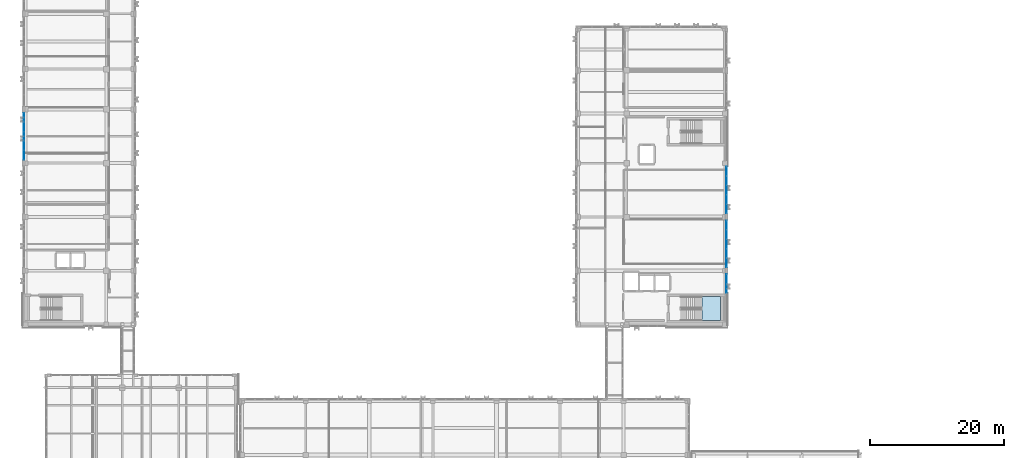
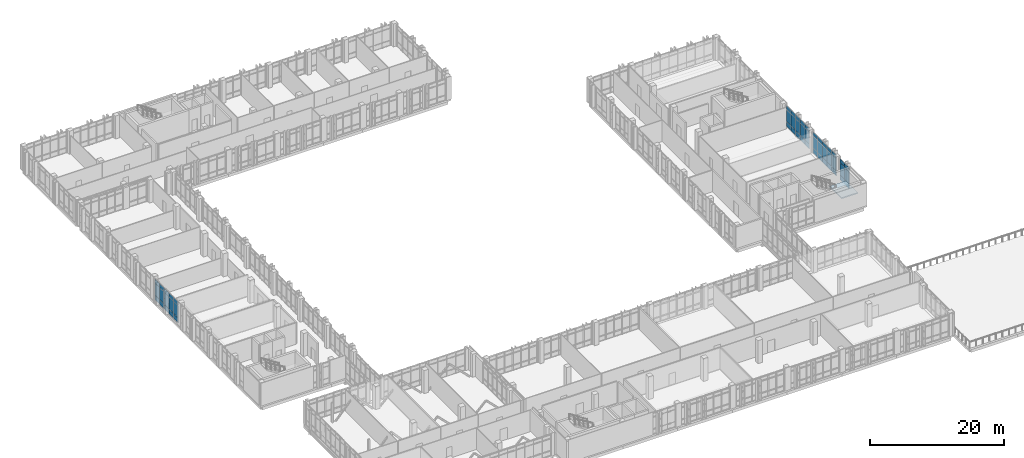
# One storey, part 122 of 165: 51 plates, 1 slab, 5 elements without a shape of their own.
"""IFC4 building model written with IfcOpenShell, lengths in metres."""

from ifc_helpers import new_model, si_unit, direction, frame, origin, origin_2d, place, context, subcontext, project, spatial, polyline, rectangle, outline, extrude, material, layer, layer_set, type_object, element, aggregate, save


model = new_model("IFC4")

# Units and contexts
model_context = context("Model", 3, precision=1e-05, world=origin(), true_north=direction((0.0, 1.0)))
body_context = subcontext(model_context, "Body", "Model", "MODEL_VIEW")
ifc_project = project(units=[si_unit("LENGTHUNIT", "METRE"), si_unit("AREAUNIT", "SQUARE_METRE"), si_unit("VOLUMEUNIT", "CUBIC_METRE"), si_unit("PLANEANGLEUNIT", "RADIAN"), si_unit("MASSUNIT", "GRAM", prefix="KILO")], contexts=[model_context])

# Site, building, storey
site_placement = place(None, origin())
site = spatial("IfcSite", under=ifc_project, at=site_placement, CompositionType="ELEMENT")
building_placement = place(site_placement, origin())
building = spatial("IfcBuilding", under=site, at=building_placement, Name="Qalavern Law Courts", CompositionType="ELEMENT")
storey_placement = place(building_placement, frame((0.0, 0.0, 14.39990234375)))
storey = spatial("IfcBuildingStorey", under=building, at=storey_placement, Name="L03", CompositionType="ELEMENT", Elevation=14.39990234375)

# Curtain wall, plates
ifc_material_1 = material(Name="Anodised aluminium and insulated glazing", Category="aluminium")
ifc_layer_1 = layer(ifc_material_1, 0.172119140625)
ifc_layer_set_1 = layer_set([ifc_layer_1], Name="Anodised aluminium and insulated glazing")
curtain_wall_type = type_object("IfcCurtainWallType", Name="ENV-CW-COURT", PredefinedType="USERDEFINED", material=ifc_layer_set_1)
curtain_wall_1_placement = place(storey_placement, origin())
curtain_wall_1 = element("IfcCurtainWall", 1, at=curtain_wall_1_placement, inside=storey, type_object=curtain_wall_type, Name="V4 unitised curtain wall L03 east 2", ObjectType="UNITISED CURTAIN WALL", PredefinedType="USERDEFINED")
ifc_material_2 = material(Name="Insulated low-E acoustic glazing", Category="glass")
ifc_layer_2 = layer(ifc_material_2, 0.02392578125)
ifc_layer_set_2 = layer_set([ifc_layer_2], Name="Insulated low-E acoustic glazing")
plate_type_1 = type_object("IfcPlateType", Name="ENV-CWP-24", PredefinedType="CURTAIN_PANEL", material=ifc_layer_set_2)
plate_1_placement = place(storey_placement, frame((106.652587890625, 50.612060546875, 0.048095703125), z_axis=(0.0, 0.0, 1.0), x_axis=(0.0, 1.0, 0.0)))
plate_1 = element("IfcPlate", 2, at=plate_1_placement, type_object=plate_type_1, Name="CW-03 panel 1.1", PredefinedType="CURTAIN_PANEL", context=body_context, shape_type="SweptSolid", body=[
    extrude(rectangle(XDim=1.327880859375, YDim=0.02392578125, at=origin_2d()), origin(), (0.0, 0.0, 1.0), 0.8779296875),
])
plate_2_placement = place(storey_placement, frame((106.652587890625, 50.612060546875, 0.97412109375), z_axis=(0.0, 0.0, 1.0), x_axis=(0.0, 1.0, 0.0)))
plate_2 = element("IfcPlate", 3, at=plate_2_placement, type_object=plate_type_1, Name="CW-03 panel 1.2", PredefinedType="CURTAIN_PANEL", context=body_context, shape_type="SweptSolid", body=[
    extrude(rectangle(XDim=1.327880859375, YDim=0.02392578125, at=origin_2d()), origin(), (0.0, 0.0, 1.0), 2.172119140625),
])
plate_3_placement = place(storey_placement, frame((106.652587890625, 50.612060546875, 3.1943359375), z_axis=(0.0, 0.0, 1.0), x_axis=(0.0, 1.0, 0.0)))
plate_3 = element("IfcPlate", 4, at=plate_3_placement, type_object=plate_type_1, Name="CW-03 panel 1.3", PredefinedType="CURTAIN_PANEL", context=body_context, shape_type="SweptSolid", body=[
    extrude(rectangle(XDim=1.327880859375, YDim=0.02392578125, at=origin_2d()), origin(), (0.0, 0.0, 1.0), 0.677978515625),
])
plate_4_placement = place(storey_placement, frame((106.652587890625, 52.0, 0.048095703125), z_axis=(0.0, 0.0, 1.0), x_axis=(0.0, 1.0, 0.0)))
plate_4 = element("IfcPlate", 5, at=plate_4_placement, type_object=plate_type_1, Name="CW-03 panel 2.1", PredefinedType="CURTAIN_PANEL", context=body_context, shape_type="SweptSolid", body=[
    extrude(rectangle(XDim=1.35205078125, YDim=0.02392578125, at=origin_2d()), origin(), (0.0, 0.0, 1.0), 0.8779296875),
])
plate_5_placement = place(storey_placement, frame((106.652587890625, 52.0, 0.97412109375), z_axis=(0.0, 0.0, 1.0), x_axis=(0.0, 1.0, 0.0)))
plate_5 = element("IfcPlate", 6, at=plate_5_placement, type_object=plate_type_1, Name="CW-03 panel 2.2", PredefinedType="CURTAIN_PANEL", context=body_context, shape_type="SweptSolid", body=[
    extrude(rectangle(XDim=1.35205078125, YDim=0.02392578125, at=origin_2d()), origin(), (0.0, 0.0, 1.0), 2.172119140625),
])
plate_6_placement = place(storey_placement, frame((106.652587890625, 52.0, 3.1943359375), z_axis=(0.0, 0.0, 1.0), x_axis=(0.0, 1.0, 0.0)))
plate_6 = element("IfcPlate", 7, at=plate_6_placement, type_object=plate_type_1, Name="CW-03 panel 2.3", PredefinedType="CURTAIN_PANEL", context=body_context, shape_type="SweptSolid", body=[
    extrude(rectangle(XDim=1.35205078125, YDim=0.02392578125, at=origin_2d()), origin(), (0.0, 0.0, 1.0), 0.677978515625),
])
plate_7_placement = place(storey_placement, frame((106.652587890625, 53.39990234375, 0.048095703125), z_axis=(0.0, 0.0, 1.0), x_axis=(0.0, 1.0, 0.0)))
plate_7 = element("IfcPlate", 8, at=plate_7_placement, type_object=plate_type_1, Name="CW-03 panel 3.1", PredefinedType="CURTAIN_PANEL", context=body_context, shape_type="SweptSolid", body=[
    extrude(rectangle(XDim=1.35205078125, YDim=0.02392578125, at=origin_2d()), origin(), (0.0, 0.0, 1.0), 0.8779296875),
])
plate_8_placement = place(storey_placement, frame((106.652587890625, 53.39990234375, 0.97412109375), z_axis=(0.0, 0.0, 1.0), x_axis=(0.0, 1.0, 0.0)))
plate_8 = element("IfcPlate", 9, at=plate_8_placement, type_object=plate_type_1, Name="CW-03 panel 3.2", PredefinedType="CURTAIN_PANEL", context=body_context, shape_type="SweptSolid", body=[
    extrude(rectangle(XDim=1.35205078125, YDim=0.02392578125, at=origin_2d()), origin(), (0.0, 0.0, 1.0), 2.172119140625),
])
plate_9_placement = place(storey_placement, frame((106.652587890625, 53.39990234375, 3.1943359375), z_axis=(0.0, 0.0, 1.0), x_axis=(0.0, 1.0, 0.0)))
plate_9 = element("IfcPlate", 10, at=plate_9_placement, type_object=plate_type_1, Name="CW-03 panel 3.3", PredefinedType="CURTAIN_PANEL", context=body_context, shape_type="SweptSolid", body=[
    extrude(rectangle(XDim=1.35205078125, YDim=0.02392578125, at=origin_2d()), origin(), (0.0, 0.0, 1.0), 0.677978515625),
])
plate_10_placement = place(storey_placement, frame((106.652587890625, 54.800048828125, 0.048095703125), z_axis=(0.0, 0.0, 1.0), x_axis=(0.0, 1.0, 0.0)))
plate_10 = element("IfcPlate", 11, at=plate_10_placement, type_object=plate_type_1, Name="CW-03 panel 4.1", PredefinedType="CURTAIN_PANEL", context=body_context, shape_type="SweptSolid", body=[
    extrude(rectangle(XDim=1.35205078125, YDim=0.02392578125, at=origin_2d()), origin(), (0.0, 0.0, 1.0), 0.8779296875),
])
plate_11_placement = place(storey_placement, frame((106.652587890625, 54.800048828125, 0.97412109375), z_axis=(0.0, 0.0, 1.0), x_axis=(0.0, 1.0, 0.0)))
plate_11 = element("IfcPlate", 12, at=plate_11_placement, type_object=plate_type_1, Name="CW-03 panel 4.2", PredefinedType="CURTAIN_PANEL", context=body_context, shape_type="SweptSolid", body=[
    extrude(rectangle(XDim=1.35205078125, YDim=0.02392578125, at=origin_2d()), origin(), (0.0, 0.0, 1.0), 2.172119140625),
])
plate_12_placement = place(storey_placement, frame((106.652587890625, 54.800048828125, 3.1943359375), z_axis=(0.0, 0.0, 1.0), x_axis=(0.0, 1.0, 0.0)))
plate_12 = element("IfcPlate", 13, at=plate_12_placement, type_object=plate_type_1, Name="CW-03 panel 4.3", PredefinedType="CURTAIN_PANEL", context=body_context, shape_type="SweptSolid", body=[
    extrude(rectangle(XDim=1.35205078125, YDim=0.02392578125, at=origin_2d()), origin(), (0.0, 0.0, 1.0), 0.677978515625),
])
plate_13_placement = place(storey_placement, frame((106.652587890625, 56.18798828125, 0.048095703125), z_axis=(0.0, 0.0, 1.0), x_axis=(0.0, 1.0, 0.0)))
plate_13 = element("IfcPlate", 14, at=plate_13_placement, type_object=plate_type_1, Name="CW-03 panel 5.1", PredefinedType="CURTAIN_PANEL", context=body_context, shape_type="SweptSolid", body=[
    extrude(rectangle(XDim=1.327880859375, YDim=0.02392578125, at=origin_2d()), origin(), (0.0, 0.0, 1.0), 0.8779296875),
])
plate_14_placement = place(storey_placement, frame((106.652587890625, 56.18798828125, 0.97412109375), z_axis=(0.0, 0.0, 1.0), x_axis=(0.0, 1.0, 0.0)))
plate_14 = element("IfcPlate", 15, at=plate_14_placement, type_object=plate_type_1, Name="CW-03 panel 5.2", PredefinedType="CURTAIN_PANEL", context=body_context, shape_type="SweptSolid", body=[
    extrude(rectangle(XDim=1.327880859375, YDim=0.02392578125, at=origin_2d()), origin(), (0.0, 0.0, 1.0), 2.172119140625),
])
plate_15_placement = place(storey_placement, frame((106.652587890625, 56.18798828125, 3.1943359375), z_axis=(0.0, 0.0, 1.0), x_axis=(0.0, 1.0, 0.0)))
plate_15 = element("IfcPlate", 16, at=plate_15_placement, type_object=plate_type_1, Name="CW-03 panel 5.3", PredefinedType="CURTAIN_PANEL", context=body_context, shape_type="SweptSolid", body=[
    extrude(rectangle(XDim=1.327880859375, YDim=0.02392578125, at=origin_2d()), origin(), (0.0, 0.0, 1.0), 0.677978515625),
])
aggregate(curtain_wall_1, [plate_1, plate_2, plate_3, plate_4, plate_5, plate_6, plate_7, plate_8, plate_9, plate_10, plate_11, plate_12, plate_13, plate_14, plate_15])

curtain_wall_2_placement = place(storey_placement, origin())
curtain_wall_2 = element("IfcCurtainWall", 17, at=curtain_wall_2_placement, inside=storey, type_object=curtain_wall_type, Name="V4 unitised curtain wall L03 east 3", ObjectType="UNITISED CURTAIN WALL", PredefinedType="USERDEFINED")
ifc_layer_3 = layer(ifc_material_2, 0.028076171875)
ifc_layer_set_3 = layer_set([ifc_layer_3], Name="Insulated low-E acoustic glazing")
plate_type_2 = type_object("IfcPlateType", Name="ENV-CWP-28", PredefinedType="CURTAIN_PANEL", material=ifc_layer_set_3)
plate_16_placement = place(storey_placement, frame((106.652587890625, 58.612060546875, 0.048095703125), z_axis=(0.0, 0.0, 1.0), x_axis=(0.0, 1.0, 0.0)))
plate_16 = element("IfcPlate", 18, at=plate_16_placement, type_object=plate_type_2, Name="CW-03 panel 1.1", PredefinedType="CURTAIN_PANEL", context=body_context, shape_type="SweptSolid", body=[
    extrude(rectangle(XDim=1.327880859375, YDim=0.028076171875, at=origin_2d()), origin(), (0.0, 0.0, 1.0), 0.8779296875),
])
plate_17_placement = place(storey_placement, frame((106.652587890625, 58.612060546875, 0.97412109375), z_axis=(0.0, 0.0, 1.0), x_axis=(0.0, 1.0, 0.0)))
plate_17 = element("IfcPlate", 19, at=plate_17_placement, type_object=plate_type_2, Name="CW-03 panel 1.2", PredefinedType="CURTAIN_PANEL", context=body_context, shape_type="SweptSolid", body=[
    extrude(rectangle(XDim=1.327880859375, YDim=0.028076171875, at=origin_2d()), origin(), (0.0, 0.0, 1.0), 2.172119140625),
])
plate_18_placement = place(storey_placement, frame((106.652587890625, 58.612060546875, 3.1943359375), z_axis=(0.0, 0.0, 1.0), x_axis=(0.0, 1.0, 0.0)))
plate_18 = element("IfcPlate", 20, at=plate_18_placement, type_object=plate_type_2, Name="CW-03 panel 1.3", PredefinedType="CURTAIN_PANEL", context=body_context, shape_type="SweptSolid", body=[
    extrude(rectangle(XDim=1.327880859375, YDim=0.028076171875, at=origin_2d()), origin(), (0.0, 0.0, 1.0), 0.677978515625),
])
plate_19_placement = place(storey_placement, frame((106.652587890625, 60.0, 0.048095703125), z_axis=(0.0, 0.0, 1.0), x_axis=(0.0, 1.0, 0.0)))
plate_19 = element("IfcPlate", 21, at=plate_19_placement, type_object=plate_type_2, Name="CW-03 panel 2.1", PredefinedType="CURTAIN_PANEL", context=body_context, shape_type="SweptSolid", body=[
    extrude(rectangle(XDim=1.35205078125, YDim=0.028076171875, at=origin_2d()), origin(), (0.0, 0.0, 1.0), 0.8779296875),
])
plate_20_placement = place(storey_placement, frame((106.652587890625, 60.0, 0.97412109375), z_axis=(0.0, 0.0, 1.0), x_axis=(0.0, 1.0, 0.0)))
plate_20 = element("IfcPlate", 22, at=plate_20_placement, type_object=plate_type_2, Name="CW-03 panel 2.2", PredefinedType="CURTAIN_PANEL", context=body_context, shape_type="SweptSolid", body=[
    extrude(rectangle(XDim=1.35205078125, YDim=0.028076171875, at=origin_2d()), origin(), (0.0, 0.0, 1.0), 2.172119140625),
])
plate_21_placement = place(storey_placement, frame((106.652587890625, 60.0, 3.1943359375), z_axis=(0.0, 0.0, 1.0), x_axis=(0.0, 1.0, 0.0)))
plate_21 = element("IfcPlate", 23, at=plate_21_placement, type_object=plate_type_2, Name="CW-03 panel 2.3", PredefinedType="CURTAIN_PANEL", context=body_context, shape_type="SweptSolid", body=[
    extrude(rectangle(XDim=1.35205078125, YDim=0.028076171875, at=origin_2d()), origin(), (0.0, 0.0, 1.0), 0.677978515625),
])
plate_22_placement = place(storey_placement, frame((106.652587890625, 61.39990234375, 0.048095703125), z_axis=(0.0, 0.0, 1.0), x_axis=(0.0, 1.0, 0.0)))
plate_22 = element("IfcPlate", 24, at=plate_22_placement, type_object=plate_type_2, Name="CW-03 panel 3.1", PredefinedType="CURTAIN_PANEL", context=body_context, shape_type="SweptSolid", body=[
    extrude(rectangle(XDim=1.35205078125, YDim=0.028076171875, at=origin_2d()), origin(), (0.0, 0.0, 1.0), 0.8779296875),
])
plate_23_placement = place(storey_placement, frame((106.652587890625, 61.39990234375, 0.97412109375), z_axis=(0.0, 0.0, 1.0), x_axis=(0.0, 1.0, 0.0)))
plate_23 = element("IfcPlate", 25, at=plate_23_placement, type_object=plate_type_2, Name="CW-03 panel 3.2", PredefinedType="CURTAIN_PANEL", context=body_context, shape_type="SweptSolid", body=[
    extrude(rectangle(XDim=1.35205078125, YDim=0.028076171875, at=origin_2d()), origin(), (0.0, 0.0, 1.0), 2.172119140625),
])
plate_24_placement = place(storey_placement, frame((106.652587890625, 61.39990234375, 3.1943359375), z_axis=(0.0, 0.0, 1.0), x_axis=(0.0, 1.0, 0.0)))
plate_24 = element("IfcPlate", 26, at=plate_24_placement, type_object=plate_type_2, Name="CW-03 panel 3.3", PredefinedType="CURTAIN_PANEL", context=body_context, shape_type="SweptSolid", body=[
    extrude(rectangle(XDim=1.35205078125, YDim=0.028076171875, at=origin_2d()), origin(), (0.0, 0.0, 1.0), 0.677978515625),
])
plate_25_placement = place(storey_placement, frame((106.652587890625, 62.800048828125, 0.048095703125), z_axis=(0.0, 0.0, 1.0), x_axis=(0.0, 1.0, 0.0)))
plate_25 = element("IfcPlate", 27, at=plate_25_placement, type_object=plate_type_2, Name="CW-03 panel 4.1", PredefinedType="CURTAIN_PANEL", context=body_context, shape_type="SweptSolid", body=[
    extrude(rectangle(XDim=1.35205078125, YDim=0.028076171875, at=origin_2d()), origin(), (0.0, 0.0, 1.0), 0.8779296875),
])
plate_26_placement = place(storey_placement, frame((106.652587890625, 62.800048828125, 0.97412109375), z_axis=(0.0, 0.0, 1.0), x_axis=(0.0, 1.0, 0.0)))
plate_26 = element("IfcPlate", 28, at=plate_26_placement, type_object=plate_type_2, Name="CW-03 panel 4.2", PredefinedType="CURTAIN_PANEL", context=body_context, shape_type="SweptSolid", body=[
    extrude(rectangle(XDim=1.35205078125, YDim=0.028076171875, at=origin_2d()), origin(), (0.0, 0.0, 1.0), 2.172119140625),
])
plate_27_placement = place(storey_placement, frame((106.652587890625, 62.800048828125, 3.1943359375), z_axis=(0.0, 0.0, 1.0), x_axis=(0.0, 1.0, 0.0)))
plate_27 = element("IfcPlate", 29, at=plate_27_placement, type_object=plate_type_2, Name="CW-03 panel 4.3", PredefinedType="CURTAIN_PANEL", context=body_context, shape_type="SweptSolid", body=[
    extrude(rectangle(XDim=1.35205078125, YDim=0.028076171875, at=origin_2d()), origin(), (0.0, 0.0, 1.0), 0.677978515625),
])
plate_28_placement = place(storey_placement, frame((106.652587890625, 64.18798828125, 0.048095703125), z_axis=(0.0, 0.0, 1.0), x_axis=(0.0, 1.0, 0.0)))
plate_28 = element("IfcPlate", 30, at=plate_28_placement, type_object=plate_type_2, Name="CW-03 panel 5.1", PredefinedType="CURTAIN_PANEL", context=body_context, shape_type="SweptSolid", body=[
    extrude(rectangle(XDim=1.327880859375, YDim=0.028076171875, at=origin_2d()), origin(), (0.0, 0.0, 1.0), 0.8779296875),
])
plate_29_placement = place(storey_placement, frame((106.652587890625, 64.18798828125, 0.97412109375), z_axis=(0.0, 0.0, 1.0), x_axis=(0.0, 1.0, 0.0)))
plate_29 = element("IfcPlate", 31, at=plate_29_placement, type_object=plate_type_2, Name="CW-03 panel 5.2", PredefinedType="CURTAIN_PANEL", context=body_context, shape_type="SweptSolid", body=[
    extrude(rectangle(XDim=1.327880859375, YDim=0.028076171875, at=origin_2d()), origin(), (0.0, 0.0, 1.0), 2.172119140625),
])
plate_30_placement = place(storey_placement, frame((106.652587890625, 64.18798828125, 3.1943359375), z_axis=(0.0, 0.0, 1.0), x_axis=(0.0, 1.0, 0.0)))
plate_30 = element("IfcPlate", 32, at=plate_30_placement, type_object=plate_type_2, Name="CW-03 panel 5.3", PredefinedType="CURTAIN_PANEL", context=body_context, shape_type="SweptSolid", body=[
    extrude(rectangle(XDim=1.327880859375, YDim=0.028076171875, at=origin_2d()), origin(), (0.0, 0.0, 1.0), 0.677978515625),
])
aggregate(curtain_wall_2, [plate_16, plate_17, plate_18, plate_19, plate_20, plate_21, plate_22, plate_23, plate_24, plate_25, plate_26, plate_27, plate_28, plate_29, plate_30])

curtain_wall_3_placement = place(storey_placement, origin())
curtain_wall_3 = element("IfcCurtainWall", 33, at=curtain_wall_3_placement, inside=storey, type_object=curtain_wall_type, Name="V3 unitised curtain wall L03 west 4", ObjectType="UNITISED CURTAIN WALL", PredefinedType="USERDEFINED")
ifc_layer_4 = layer(ifc_material_2, 0.031982421875)
ifc_layer_set_4 = layer_set([ifc_layer_4], Name="Insulated low-E acoustic glazing")
plate_type_3 = type_object("IfcPlateType", Name="ENV-CWP-32", PredefinedType="CURTAIN_PANEL", material=ifc_layer_set_4)
plate_31_placement = place(storey_placement, frame((2.1474609375, 72.18798828125, 0.048095703125), z_axis=(0.0, 0.0, 1.0), x_axis=(0.0, -1.0, 0.0)))
plate_31 = element("IfcPlate", 34, at=plate_31_placement, type_object=plate_type_3, Name="CW-03 panel 1.1", PredefinedType="CURTAIN_PANEL", context=body_context, shape_type="SweptSolid", body=[
    extrude(rectangle(XDim=1.327880859375, YDim=0.031982421875, at=origin_2d()), origin(), (0.0, 0.0, 1.0), 0.8779296875),
])
plate_32_placement = place(storey_placement, frame((2.1474609375, 72.18798828125, 0.97412109375), z_axis=(0.0, 0.0, 1.0), x_axis=(0.0, -1.0, 0.0)))
plate_32 = element("IfcPlate", 35, at=plate_32_placement, type_object=plate_type_3, Name="CW-03 panel 1.2", PredefinedType="CURTAIN_PANEL", context=body_context, shape_type="SweptSolid", body=[
    extrude(rectangle(XDim=1.327880859375, YDim=0.031982421875, at=origin_2d()), origin(), (0.0, 0.0, 1.0), 2.172119140625),
])
plate_33_placement = place(storey_placement, frame((2.1474609375, 72.18798828125, 3.1943359375), z_axis=(0.0, 0.0, 1.0), x_axis=(0.0, -1.0, 0.0)))
plate_33 = element("IfcPlate", 36, at=plate_33_placement, type_object=plate_type_3, Name="CW-03 panel 1.3", PredefinedType="CURTAIN_PANEL", context=body_context, shape_type="SweptSolid", body=[
    extrude(rectangle(XDim=1.327880859375, YDim=0.031982421875, at=origin_2d()), origin(), (0.0, 0.0, 1.0), 0.677978515625),
])
plate_34_placement = place(storey_placement, frame((2.1474609375, 70.800048828125, 0.048095703125), z_axis=(0.0, 0.0, 1.0), x_axis=(0.0, -1.0, 0.0)))
plate_34 = element("IfcPlate", 37, at=plate_34_placement, type_object=plate_type_3, Name="CW-03 panel 2.1", PredefinedType="CURTAIN_PANEL", context=body_context, shape_type="SweptSolid", body=[
    extrude(rectangle(XDim=1.35205078125, YDim=0.031982421875, at=origin_2d()), origin(), (0.0, 0.0, 1.0), 0.8779296875),
])
plate_35_placement = place(storey_placement, frame((2.1474609375, 70.800048828125, 0.97412109375), z_axis=(0.0, 0.0, 1.0), x_axis=(0.0, -1.0, 0.0)))
plate_35 = element("IfcPlate", 38, at=plate_35_placement, type_object=plate_type_3, Name="CW-03 panel 2.2", PredefinedType="CURTAIN_PANEL", context=body_context, shape_type="SweptSolid", body=[
    extrude(rectangle(XDim=1.35205078125, YDim=0.031982421875, at=origin_2d()), origin(), (0.0, 0.0, 1.0), 2.172119140625),
])
plate_36_placement = place(storey_placement, frame((2.1474609375, 70.800048828125, 3.1943359375), z_axis=(0.0, 0.0, 1.0), x_axis=(0.0, -1.0, 0.0)))
plate_36 = element("IfcPlate", 39, at=plate_36_placement, type_object=plate_type_3, Name="CW-03 panel 2.3", PredefinedType="CURTAIN_PANEL", context=body_context, shape_type="SweptSolid", body=[
    extrude(rectangle(XDim=1.35205078125, YDim=0.031982421875, at=origin_2d()), origin(), (0.0, 0.0, 1.0), 0.677978515625),
])
plate_37_placement = place(storey_placement, frame((2.1474609375, 69.39990234375, 0.048095703125), z_axis=(0.0, 0.0, 1.0), x_axis=(0.0, -1.0, 0.0)))
plate_37 = element("IfcPlate", 40, at=plate_37_placement, type_object=plate_type_3, Name="CW-03 panel 3.1", PredefinedType="CURTAIN_PANEL", context=body_context, shape_type="SweptSolid", body=[
    extrude(rectangle(XDim=1.35205078125, YDim=0.031982421875, at=origin_2d()), origin(), (0.0, 0.0, 1.0), 0.8779296875),
])
plate_38_placement = place(storey_placement, frame((2.1474609375, 69.39990234375, 0.97412109375), z_axis=(0.0, 0.0, 1.0), x_axis=(0.0, -1.0, 0.0)))
plate_38 = element("IfcPlate", 41, at=plate_38_placement, type_object=plate_type_3, Name="CW-03 panel 3.2", PredefinedType="CURTAIN_PANEL", context=body_context, shape_type="SweptSolid", body=[
    extrude(rectangle(XDim=1.35205078125, YDim=0.031982421875, at=origin_2d()), origin(), (0.0, 0.0, 1.0), 2.172119140625),
])
plate_39_placement = place(storey_placement, frame((2.1474609375, 69.39990234375, 3.1943359375), z_axis=(0.0, 0.0, 1.0), x_axis=(0.0, -1.0, 0.0)))
plate_39 = element("IfcPlate", 42, at=plate_39_placement, type_object=plate_type_3, Name="CW-03 panel 3.3", PredefinedType="CURTAIN_PANEL", context=body_context, shape_type="SweptSolid", body=[
    extrude(rectangle(XDim=1.35205078125, YDim=0.031982421875, at=origin_2d()), origin(), (0.0, 0.0, 1.0), 0.677978515625),
])
plate_40_placement = place(storey_placement, frame((2.1474609375, 68.0, 0.048095703125), z_axis=(0.0, 0.0, 1.0), x_axis=(0.0, -1.0, 0.0)))
plate_40 = element("IfcPlate", 43, at=plate_40_placement, type_object=plate_type_3, Name="CW-03 panel 4.1", PredefinedType="CURTAIN_PANEL", context=body_context, shape_type="SweptSolid", body=[
    extrude(rectangle(XDim=1.35205078125, YDim=0.031982421875, at=origin_2d()), origin(), (0.0, 0.0, 1.0), 0.8779296875),
])
plate_41_placement = place(storey_placement, frame((2.1474609375, 68.0, 0.97412109375), z_axis=(0.0, 0.0, 1.0), x_axis=(0.0, -1.0, 0.0)))
plate_41 = element("IfcPlate", 44, at=plate_41_placement, type_object=plate_type_3, Name="CW-03 panel 4.2", PredefinedType="CURTAIN_PANEL", context=body_context, shape_type="SweptSolid", body=[
    extrude(rectangle(XDim=1.35205078125, YDim=0.031982421875, at=origin_2d()), origin(), (0.0, 0.0, 1.0), 2.172119140625),
])
plate_42_placement = place(storey_placement, frame((2.1474609375, 68.0, 3.1943359375), z_axis=(0.0, 0.0, 1.0), x_axis=(0.0, -1.0, 0.0)))
plate_42 = element("IfcPlate", 45, at=plate_42_placement, type_object=plate_type_3, Name="CW-03 panel 4.3", PredefinedType="CURTAIN_PANEL", context=body_context, shape_type="SweptSolid", body=[
    extrude(rectangle(XDim=1.35205078125, YDim=0.031982421875, at=origin_2d()), origin(), (0.0, 0.0, 1.0), 0.677978515625),
])
plate_43_placement = place(storey_placement, frame((2.1474609375, 66.612060546875, 0.048095703125), z_axis=(0.0, 0.0, 1.0), x_axis=(0.0, -1.0, 0.0)))
plate_43 = element("IfcPlate", 46, at=plate_43_placement, type_object=plate_type_3, Name="CW-03 panel 5.1", PredefinedType="CURTAIN_PANEL", context=body_context, shape_type="SweptSolid", body=[
    extrude(rectangle(XDim=1.327880859375, YDim=0.031982421875, at=origin_2d()), origin(), (0.0, 0.0, 1.0), 0.8779296875),
])
plate_44_placement = place(storey_placement, frame((2.1474609375, 66.612060546875, 0.97412109375), z_axis=(0.0, 0.0, 1.0), x_axis=(0.0, -1.0, 0.0)))
plate_44 = element("IfcPlate", 47, at=plate_44_placement, type_object=plate_type_3, Name="CW-03 panel 5.2", PredefinedType="CURTAIN_PANEL", context=body_context, shape_type="SweptSolid", body=[
    extrude(rectangle(XDim=1.327880859375, YDim=0.031982421875, at=origin_2d()), origin(), (0.0, 0.0, 1.0), 2.172119140625),
])
plate_45_placement = place(storey_placement, frame((2.1474609375, 66.612060546875, 3.1943359375), z_axis=(0.0, 0.0, 1.0), x_axis=(0.0, -1.0, 0.0)))
plate_45 = element("IfcPlate", 48, at=plate_45_placement, type_object=plate_type_3, Name="CW-03 panel 5.3", PredefinedType="CURTAIN_PANEL", context=body_context, shape_type="SweptSolid", body=[
    extrude(rectangle(XDim=1.327880859375, YDim=0.031982421875, at=origin_2d()), origin(), (0.0, 0.0, 1.0), 0.677978515625),
])
aggregate(curtain_wall_3, [plate_31, plate_32, plate_33, plate_34, plate_35, plate_36, plate_37, plate_38, plate_39, plate_40, plate_41, plate_42, plate_43, plate_44, plate_45])

curtain_wall_4_placement = place(storey_placement, origin())
curtain_wall_4 = element("IfcCurtainWall", 49, at=curtain_wall_4_placement, inside=storey, type_object=curtain_wall_type, Name="V4 unitised curtain wall L03 east 1", ObjectType="UNITISED CURTAIN WALL", PredefinedType="USERDEFINED")
ifc_layer_5 = layer(ifc_material_2, 0.052001953125)
ifc_layer_set_5 = layer_set([ifc_layer_5], Name="Insulated low-E acoustic glazing")
plate_type_4 = type_object("IfcPlateType", Name="ENV-CWP-52", PredefinedType="CURTAIN_PANEL", material=ifc_layer_set_5)
plate_46_placement = place(storey_placement, frame((106.652587890625, 46.7744140625, 0.048095703125), z_axis=(0.0, 0.0, 1.0), x_axis=(0.0, 1.0, 0.0)))
plate_46 = element("IfcPlate", 50, at=plate_46_placement, type_object=plate_type_4, Name="CW-03 panel 1.1", PredefinedType="CURTAIN_PANEL", context=body_context, shape_type="SweptSolid", body=[
    extrude(rectangle(XDim=1.35302734375, YDim=0.052001953125, at=origin_2d()), origin(), (0.0, 0.0, 1.0), 0.8779296875),
])
plate_47_placement = place(storey_placement, frame((106.652587890625, 46.7744140625, 0.97412109375), z_axis=(0.0, 0.0, 1.0), x_axis=(0.0, 1.0, 0.0)))
plate_47 = element("IfcPlate", 51, at=plate_47_placement, type_object=plate_type_4, Name="CW-03 panel 1.2", PredefinedType="CURTAIN_PANEL", context=body_context, shape_type="SweptSolid", body=[
    extrude(rectangle(XDim=1.35302734375, YDim=0.052001953125, at=origin_2d()), origin(), (0.0, 0.0, 1.0), 2.172119140625),
])
plate_48_placement = place(storey_placement, frame((106.652587890625, 46.7744140625, 3.1943359375), z_axis=(0.0, 0.0, 1.0), x_axis=(0.0, 1.0, 0.0)))
plate_48 = element("IfcPlate", 52, at=plate_48_placement, type_object=plate_type_4, Name="CW-03 panel 1.3", PredefinedType="CURTAIN_PANEL", context=body_context, shape_type="SweptSolid", body=[
    extrude(rectangle(XDim=1.35302734375, YDim=0.052001953125, at=origin_2d()), origin(), (0.0, 0.0, 1.0), 0.677978515625),
])
plate_49_placement = place(storey_placement, frame((106.652587890625, 48.175537109375, 0.048095703125), z_axis=(0.0, 0.0, 1.0), x_axis=(0.0, 1.0, 0.0)))
plate_49 = element("IfcPlate", 53, at=plate_49_placement, type_object=plate_type_4, Name="CW-03 panel 2.1", PredefinedType="CURTAIN_PANEL", context=body_context, shape_type="SweptSolid", body=[
    extrude(rectangle(XDim=1.35302734375, YDim=0.052001953125, at=origin_2d()), origin(), (0.0, 0.0, 1.0), 0.8779296875),
])
plate_50_placement = place(storey_placement, frame((106.652587890625, 48.175537109375, 0.97412109375), z_axis=(0.0, 0.0, 1.0), x_axis=(0.0, 1.0, 0.0)))
plate_50 = element("IfcPlate", 54, at=plate_50_placement, type_object=plate_type_4, Name="CW-03 panel 2.2", PredefinedType="CURTAIN_PANEL", context=body_context, shape_type="SweptSolid", body=[
    extrude(rectangle(XDim=1.35302734375, YDim=0.052001953125, at=origin_2d()), origin(), (0.0, 0.0, 1.0), 2.172119140625),
])
plate_51_placement = place(storey_placement, frame((106.652587890625, 48.175537109375, 3.1943359375), z_axis=(0.0, 0.0, 1.0), x_axis=(0.0, 1.0, 0.0)))
plate_51 = element("IfcPlate", 55, at=plate_51_placement, type_object=plate_type_4, Name="CW-03 panel 2.3", PredefinedType="CURTAIN_PANEL", context=body_context, shape_type="SweptSolid", body=[
    extrude(rectangle(XDim=1.35302734375, YDim=0.052001953125, at=origin_2d()), origin(), (0.0, 0.0, 1.0), 0.677978515625),
])
aggregate(curtain_wall_4, [plate_46, plate_47, plate_48, plate_49, plate_50, plate_51])

# Stair, slab
ifc_material_3 = material(Name="Concrete C35/45", Category="concrete")
stair_type = type_object("IfcStairType", Name="INT-STAIR-1700", PredefinedType="HALF_TURN_STAIR", material=ifc_material_3)
stair_placement = place(storey_placement, origin())
stair = element("IfcStair", 56, at=stair_placement, inside=storey, type_object=stair_type, Name="L03 ST-K1A", PredefinedType="HALF_TURN_STAIR")
ifc_layer_6 = layer(ifc_material_3, 0.199951171875)
ifc_layer_set_6 = layer_set([ifc_layer_6], Name="Concrete C35/45")
slab_type = type_object("IfcSlabType", Name="INT-LANDING-200", PredefinedType="LANDING", material=ifc_layer_set_6)
slab_placement = place(storey_placement, frame((0.0, 0.0, 1.900146484375)))
slab = element("IfcSlab", 57, at=slab_placement, type_object=slab_type, Name="ST-K1A landing 1", PredefinedType="LANDING", context=body_context, shape_type="SweptSolid", body=[
    extrude(outline(polyline([(102.97998046875, 42.0), (105.800048828125, 42.0), (105.800048828125, 45.550048828125), (102.97998046875, 45.550048828125), (102.97998046875, 42.0)])), origin(), (0.0, 0.0, 1.0), 0.199951171875),
])
aggregate(stair, [slab])

save(model, "model.ifc")
